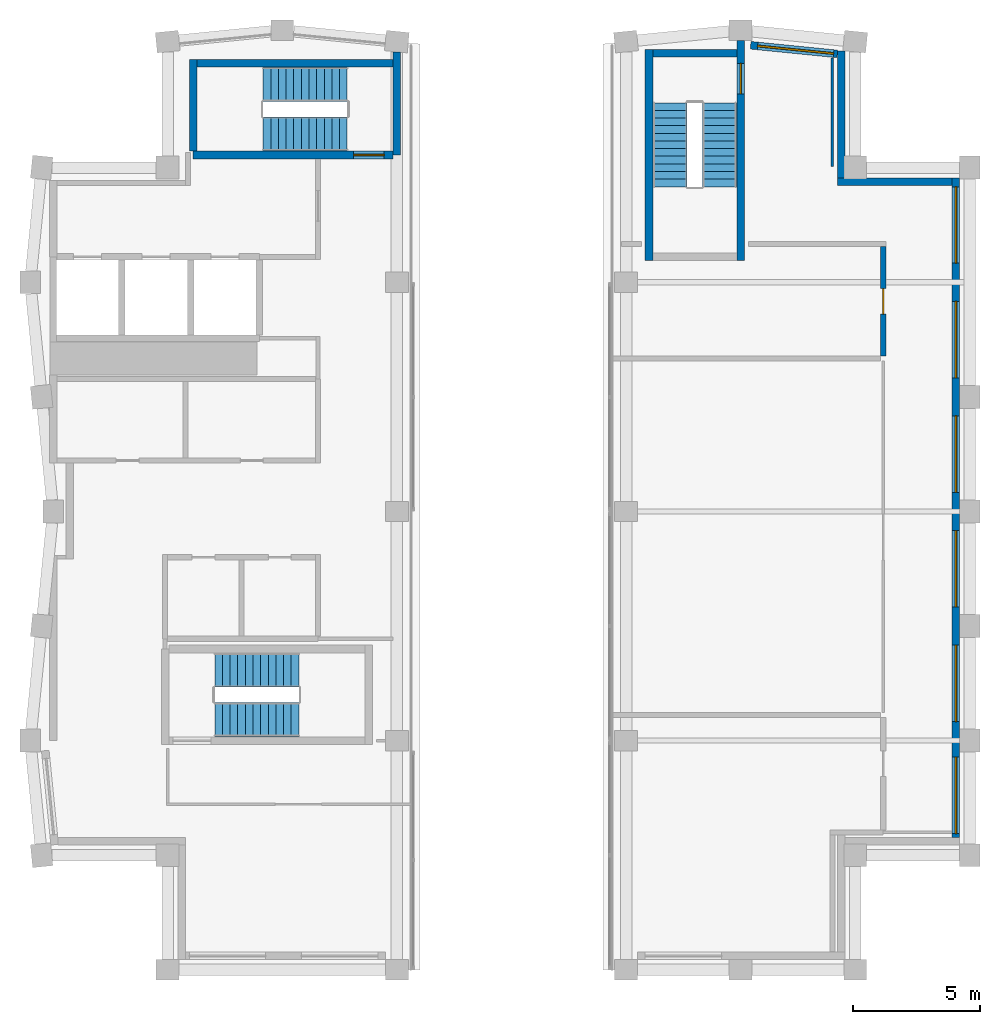
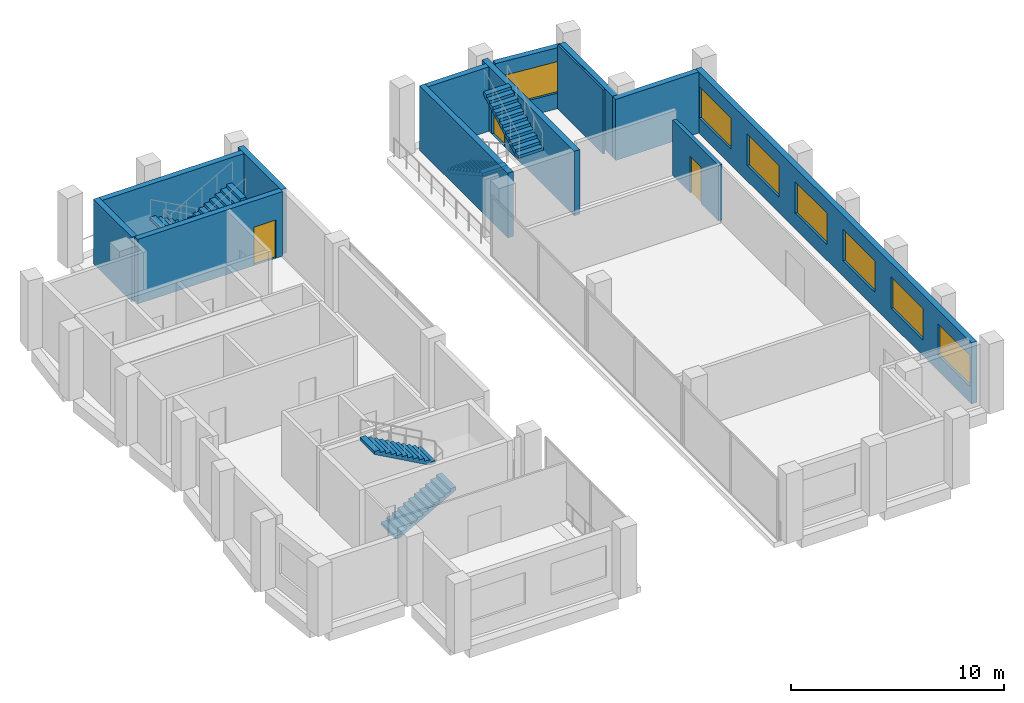
# One storey, part 8 of 9: 13 walls, 7 windows, 6 stair flights, 3 doors, 10 openings, 3 elements without a shape of their own.
"""IFC4 building model written with IfcOpenShell, lengths in metres."""

import ifcopenshell
import ifcopenshell.guid

model = None  # the IFC model being written
_history = None  # IfcOwnerHistory: only IFC2X3 demands one
_inside = {}  # id of a spatial element -> (the spatial element, [elements in it])
_under = {}  # id of a project, library or spatial element -> (it, [spatial elements below it])
_declared = {}  # id of a project -> (the project, [libraries it declares])
_typed = {}  # id of a type object -> (the type object, [elements of that type])
_made_of = {}  # id of a material, layer set ... -> (it, [elements and type objects made of it])


def new_model(schema):
    """Start an empty IFC model of exactly this schema.

    Asked for "IFC4X3", IfcOpenShell would pick the latest addendum, in which some entities
    have other attributes; the version numbers below select the first issue.
    IFC2X3 requires an IfcOwnerHistory on every rooted entity: one is made here for all.
    """
    global model, _history
    if schema == "IFC4X3":
        model = ifcopenshell.file(schema_version=(4, 3, 0, 0))
    else:
        model = ifcopenshell.file(schema=schema)
    _inside.clear()
    _under.clear()
    _declared.clear()
    _typed.clear()
    _made_of.clear()
    _history = None
    if model.schema == "IFC2X3":
        org = make("IfcOrganization", Name="unknown")
        user = make(
            "IfcPersonAndOrganization",
            ThePerson=make("IfcPerson", FamilyName="unknown"),
            TheOrganization=org,
        )
        app = make(
            "IfcApplication",
            ApplicationDeveloper=org,
            Version="unknown",
            ApplicationFullName="unknown",
            ApplicationIdentifier="unknown",
        )
        _history = make(
            "IfcOwnerHistory",
            OwningUser=user,
            OwningApplication=app,
            ChangeAction="ADDED",
            CreationDate=0,
        )
    return model


def make(cls, **values):
    """One entity of the class cls with the attributes given. An attribute that is None is left unset."""
    return model.create_entity(
        cls, **{name: value for name, value in values.items() if value is not None}
    )


def rooted(cls, **values):
    """An entity with a GlobalId (a new one), such as an element, a storey or a relation."""
    return make(cls, GlobalId=ifcopenshell.guid.new(), OwnerHistory=_history, **values)


def si_unit(unit_type, name, prefix=None):
    """IfcSIUnit, for example si_unit("LENGTHUNIT", "METRE", prefix="MILLI")."""
    return make("IfcSIUnit", UnitType=unit_type, Prefix=prefix, Name=name)


def assignment(units):
    """IfcUnitAssignment: the units of a project."""
    return None if units is None else make("IfcUnitAssignment", Units=units)


def point(xyz):
    """IfcCartesianPoint."""
    return None if xyz is None else make("IfcCartesianPoint", Coordinates=xyz)


def direction(xyz):
    """IfcDirection."""
    return None if xyz is None else make("IfcDirection", DirectionRatios=xyz)


def frame(location, z_axis=None, x_axis=None):
    """IfcAxis2Placement3D, a coordinate frame: its origin and axes. An axis left out is left unset."""
    return make(
        "IfcAxis2Placement3D",
        Location=point(location),
        Axis=direction(z_axis),
        RefDirection=direction(x_axis),
    )


def frame_2d(location, x_axis=None):
    """IfcAxis2Placement2D, a coordinate frame in the plane: its origin and x axis."""
    return make(
        "IfcAxis2Placement2D", Location=point(location), RefDirection=direction(x_axis)
    )


def origin():
    """The frame at (0, 0, 0) with its axes left unset."""
    return frame((0.0, 0.0, 0.0))


def place(relative_to, where):
    """IfcLocalPlacement: puts the frame where relative to a parent placement (None: the world)."""
    return make(
        "IfcLocalPlacement", PlacementRelTo=relative_to, RelativePlacement=where
    )


def context(
    kind, dimensions, precision=None, world=None, true_north=None, identifier=None
):
    """IfcGeometricRepresentationContext, for example the 3D "Model" context."""
    return make(
        "IfcGeometricRepresentationContext",
        ContextIdentifier=identifier,
        ContextType=kind,
        CoordinateSpaceDimension=dimensions,
        Precision=precision,
        WorldCoordinateSystem=world,
        TrueNorth=true_north,
    )


def subcontext(parent, identifier, kind, view, scale=None):
    """IfcGeometricRepresentationSubContext, for example "Body" below "Model"."""
    return make(
        "IfcGeometricRepresentationSubContext",
        ContextIdentifier=identifier,
        ContextType=kind,
        ParentContext=parent,
        TargetScale=scale,
        TargetView=view,
    )


def project(units=None, contexts=None):
    """IfcProject with its units and contexts."""
    return rooted(
        "IfcProject",
        Name="project",
        RepresentationContexts=contexts,
        UnitsInContext=assignment(units),
    )


def spatial(cls, under=None, at=None, **own):
    """A site, building, storey or space (cls), placed at a placement, below another one or the project."""
    s = rooted(cls, ObjectPlacement=at, **own)
    if under is not None:
        _under.setdefault(under.id(), (under, []))[1].append(s)
    return s


def polyline(points):
    """IfcPolyline through the points."""
    return make("IfcPolyline", Points=[point(p) for p in points])


def profile(cls, at=None, kind="AREA", **sizes):
    """A parametric profile (cls). Its sizes go by their IFC names, for example OverallWidth=200.0."""
    return make(cls, ProfileType=kind, Position=at, **sizes)


def rectangle(**sizes):
    """IfcRectangleProfileDef."""
    return profile("IfcRectangleProfileDef", **sizes)


def outline(outer, holes=None, kind="AREA"):
    """IfcArbitraryClosedProfileDef: a profile drawn as a closed curve; with holes, ...WithVoids."""
    if holes is None:
        return make("IfcArbitraryClosedProfileDef", ProfileType=kind, OuterCurve=outer)
    return make(
        "IfcArbitraryProfileDefWithVoids",
        ProfileType=kind,
        OuterCurve=outer,
        InnerCurves=holes,
    )


def extrude(swept, where, along, depth):
    """IfcExtrudedAreaSolid: the profile swept, set in the frame where, extruded along a direction by depth."""
    return make(
        "IfcExtrudedAreaSolid",
        SweptArea=swept,
        Position=where,
        ExtrudedDirection=direction(along),
        Depth=depth,
    )


def shape(context_of_items, identifier, shape_type, items):
    """IfcShapeRepresentation: the items that make up one representation, for example the "Body"."""
    return make(
        "IfcShapeRepresentation",
        ContextOfItems=context_of_items,
        RepresentationIdentifier=identifier,
        RepresentationType=shape_type,
        Items=items,
    )


def material(Name=None, Category=None):
    """IfcMaterial."""
    return make("IfcMaterial", Name=Name, Category=Category)


def layer(
    of_material, thickness, ventilated=None, Name=None, Category=None, Priority=None
):
    """IfcMaterialLayer: one layer of a wall or slab, of a material (None: an air gap)."""
    return make(
        "IfcMaterialLayer",
        Material=of_material,
        LayerThickness=thickness,
        IsVentilated=ventilated,
        Name=Name,
        Category=Category,
        Priority=Priority,
    )


def layer_set(layers, Name=None):
    """IfcMaterialLayerSet."""
    return make("IfcMaterialLayerSet", MaterialLayers=layers, LayerSetName=Name)


def made_of(thing, what):
    """Note that an element or type object is made of a material, layer set ...; save() writes the relation."""
    if what is not None:
        _made_of.setdefault(what.id(), (what, []))[1].append(thing)
    return thing


def type_object(cls, material=None, **own):
    """A type object (cls), such as IfcWallType, which elements share."""
    return made_of(rooted(cls, **own), material)


def element(
    cls,
    number,
    at=None,
    inside=None,
    cuts=None,
    type_object=None,
    material=None,
    context=None,
    identifier="Body",
    shape_type=None,
    held_by="IfcProductDefinitionShape",
    body=None,
    shapes=None,
    **own,
):
    """One element of the class cls, such as IfcWall. Its Tag is "e" and its number.

    at: its placement. inside: the storey or other place that contains it. cuts: it is an
    opening in that element (IfcRelVoidsElement). A single representation is given by context,
    identifier, shape_type and body (its items); several are given by shapes. held_by: the class
    of the entity that holds the representations. save() writes the other relations.
    """
    e = rooted(cls, Tag="e%d" % number, ObjectPlacement=at, **own)
    if body is not None:
        shapes = [shape(context, identifier, shape_type, body)]
    if shapes is not None:
        e.Representation = make(held_by, Representations=shapes)
    if inside is not None:
        _inside.setdefault(inside.id(), (inside, []))[1].append(e)
    if cuts is not None:
        rooted(
            "IfcRelVoidsElement", RelatingBuildingElement=cuts, RelatedOpeningElement=e
        )
    if type_object is not None:
        _typed.setdefault(type_object.id(), (type_object, []))[1].append(e)
    return made_of(e, material)


def fill(opening, filler):
    """IfcRelFillsElement: the door or window that sits in an opening."""
    return rooted(
        "IfcRelFillsElement",
        RelatingOpeningElement=opening,
        RelatedBuildingElement=filler,
    )


def aggregate(whole, parts):
    """IfcRelAggregates: a whole, such as a stair, and the parts it consists of."""
    return rooted("IfcRelAggregates", RelatingObject=whole, RelatedObjects=parts)


def save(model, path):
    """Write the relations noted so far, then the file.

    IfcRelAggregates (storeys below a building ...), IfcRelContainedInSpatialStructure (elements
    in a storey), IfcRelDefinesByType, IfcRelAssociatesMaterial and IfcRelDeclares: one each for
    every whole, place, type object, material and project.
    """
    for whole, parts in _under.values():
        aggregate(whole, parts)
    for where, things in _inside.values():
        rooted(
            "IfcRelContainedInSpatialStructure",
            RelatedElements=things,
            RelatingStructure=where,
        )
    for kind, things in _typed.values():
        rooted("IfcRelDefinesByType", RelatedObjects=things, RelatingType=kind)
    for what, things in _made_of.values():
        rooted("IfcRelAssociatesMaterial", RelatedObjects=things, RelatingMaterial=what)
    for by, libraries in _declared.values():
        rooted("IfcRelDeclares", RelatingContext=by, RelatedDefinitions=libraries)
    model.write(path)


model = new_model("IFC4")

# Units and contexts
model_context = context("Model", 3, precision=1e-05, world=origin(), true_north=direction((0.0, 1.0)))
body_context = subcontext(model_context, "Body", "Model", "MODEL_VIEW")
ifc_project = project(units=[si_unit("LENGTHUNIT", "METRE"), si_unit("AREAUNIT", "SQUARE_METRE"), si_unit("VOLUMEUNIT", "CUBIC_METRE"), si_unit("PLANEANGLEUNIT", "RADIAN"), si_unit("MASSUNIT", "GRAM", prefix="KILO")], contexts=[model_context])

# Site, building, storey
site_placement = place(None, origin())
site = spatial("IfcSite", under=ifc_project, at=site_placement, CompositionType="ELEMENT")
building_placement = place(site_placement, origin())
building = spatial("IfcBuilding", under=site, at=building_placement, Name="Brondeck Convention Tower", CompositionType="ELEMENT")
storey_placement = place(building_placement, frame((0.0, 0.0, 286.800048828125)))
storey = spatial("IfcBuildingStorey", under=building, at=storey_placement, Name="L71", CompositionType="ELEMENT", Elevation=286.800048828125)

# Wall, openings, windows
ifc_material_1 = material(Name="Precast concrete C50/60 bronze finish", Category="concrete")
ifc_layer_1 = layer(ifc_material_1, 0.070068359375, Name="Bronze precast facing")
ifc_material_2 = material(Name="Mineral wool")
ifc_layer_2 = layer(ifc_material_2, 0.159912109375, Name="Insulation")
ifc_material_3 = material(Name="Concrete C35/45", Category="concrete")
ifc_layer_3 = layer(ifc_material_3, 0.070068359375, Name="Backing")
ifc_layer_set_1 = layer_set([ifc_layer_1, ifc_layer_2, ifc_layer_3], Name="External infill wall, precast concrete C50/60 bronze facing")
wall_type_1 = type_object("IfcWallType", Name="External infill wall, precast concrete C50/60 bronze facing", PredefinedType="SOLIDWALL", material=ifc_layer_set_1)
wall_1_placement = place(storey_placement, frame((35.449951171875, 58.10009765625, 0.0), z_axis=(0.0, 0.0, 1.0), x_axis=(0.0, -1.0, 0.0)))
wall_1 = element("IfcWall", 1, at=wall_1_placement, inside=storey, type_object=wall_type_1, Name="ENV-EW-L71-K2-K-E-01", PredefinedType="SOLIDWALL", context=body_context, shape_type="SweptSolid", body=[
    extrude(rectangle(XDim=25.902099609375, YDim=0.300048828125, at=frame_2d((12.951171875, 0.0))), origin(), (0.0, 0.0, 1.0), 3.5),
])
opening_1_placement = place(wall_1_placement, frame((0.35009765625, 0.0, 0.89990234375)))
opening_1 = element("IfcOpeningElement", 2, at=opening_1_placement, cuts=wall_1, Name="Opening W8", PredefinedType="OPENING", context=body_context, shape_type="SweptSolid", body=[
    extrude(rectangle(XDim=3.0, YDim=1.800048828125, at=frame_2d((1.5, 0.89990234375))), frame((0.0, 0.159912109375, 0.0), z_axis=(0.0, -1.0, 0.0), x_axis=(1.0, 0.0, 0.0)), (0.0, 0.0, 1.0), 0.320068359375),
])
opening_2_placement = place(wall_1_placement, frame((4.85009765625, 0.0, 0.89990234375)))
opening_2 = element("IfcOpeningElement", 3, at=opening_2_placement, cuts=wall_1, Name="Opening W8", PredefinedType="OPENING", context=body_context, shape_type="SweptSolid", body=[
    extrude(rectangle(XDim=3.0, YDim=1.800048828125, at=frame_2d((1.5, 0.89990234375))), frame((0.0, 0.159912109375, 0.0), z_axis=(0.0, -1.0, 0.0), x_axis=(1.0, 0.0, 0.0)), (0.0, 0.0, 1.0), 0.320068359375),
])
opening_3_placement = place(wall_1_placement, frame((9.35009765625, 0.0, 0.89990234375)))
opening_3 = element("IfcOpeningElement", 4, at=opening_3_placement, cuts=wall_1, Name="Opening W8", PredefinedType="OPENING", context=body_context, shape_type="SweptSolid", body=[
    extrude(rectangle(XDim=3.0, YDim=1.800048828125, at=frame_2d((1.5, 0.89990234375))), frame((0.0, 0.159912109375, 0.0), z_axis=(0.0, -1.0, 0.0), x_axis=(1.0, 0.0, 0.0)), (0.0, 0.0, 1.0), 0.320068359375),
])
opening_4_placement = place(wall_1_placement, frame((13.85009765625, 0.0, 0.89990234375)))
opening_4 = element("IfcOpeningElement", 5, at=opening_4_placement, cuts=wall_1, Name="Opening W8", PredefinedType="OPENING", context=body_context, shape_type="SweptSolid", body=[
    extrude(rectangle(XDim=3.0, YDim=1.800048828125, at=frame_2d((1.5, 0.89990234375))), frame((0.0, 0.159912109375, 0.0), z_axis=(0.0, -1.0, 0.0), x_axis=(1.0, 0.0, 0.0)), (0.0, 0.0, 1.0), 0.320068359375),
])
opening_5_placement = place(wall_1_placement, frame((18.35009765625, 0.0, 0.89990234375)))
opening_5 = element("IfcOpeningElement", 6, at=opening_5_placement, cuts=wall_1, Name="Opening W8", PredefinedType="OPENING", context=body_context, shape_type="SweptSolid", body=[
    extrude(rectangle(XDim=3.0, YDim=1.800048828125, at=frame_2d((1.5, 0.89990234375))), frame((0.0, 0.159912109375, 0.0), z_axis=(0.0, -1.0, 0.0), x_axis=(1.0, 0.0, 0.0)), (0.0, 0.0, 1.0), 0.320068359375),
])
opening_6_placement = place(wall_1_placement, frame((22.751953125, 0.0, 0.89990234375)))
opening_6 = element("IfcOpeningElement", 7, at=opening_6_placement, cuts=wall_1, Name="Opening W8", PredefinedType="OPENING", context=body_context, shape_type="SweptSolid", body=[
    extrude(rectangle(XDim=3.0, YDim=1.800048828125, at=frame_2d((1.5, 0.89990234375))), frame((0.0, 0.159912109375, 0.0), z_axis=(0.0, -1.0, 0.0), x_axis=(1.0, 0.0, 0.0)), (0.0, 0.0, 1.0), 0.320068359375),
])
ifc_material_4 = material(Name="Bronze tinted double glazing", Category="glass")
window_type = type_object("IfcWindowType", Name="Crown plant storey window, bronze tinted", PartitioningType="SINGLE_PANEL", PredefinedType="WINDOW", material=ifc_material_4)
window_1_placement = place(opening_1_placement, origin())
window_1 = element("IfcWindow", 8, at=window_1_placement, inside=storey, type_object=window_type, Name="ENV-WN-L71-K2-K-E-06", OverallHeight=1.800048828125, OverallWidth=3.0, PartitioningType="SINGLE_PANEL", PredefinedType="WINDOW", context=body_context, shape_type="SweptSolid", body=[
    extrude(rectangle(XDim=3.0, YDim=1.800048828125, at=frame_2d((1.5, 0.89990234375))), frame((0.0, 0.030029296875, 0.0), z_axis=(0.0, -1.0, 0.0), x_axis=(1.0, 0.0, 0.0)), (0.0, 0.0, 1.0), 0.06005859375),
])
fill(opening_1, window_1)
window_2_placement = place(opening_2_placement, origin())
window_2 = element("IfcWindow", 9, at=window_2_placement, inside=storey, type_object=window_type, Name="ENV-WN-L71-K2-K-E-05", OverallHeight=1.800048828125, OverallWidth=3.0, PartitioningType="SINGLE_PANEL", PredefinedType="WINDOW", context=body_context, shape_type="SweptSolid", body=[
    extrude(rectangle(XDim=3.0, YDim=1.800048828125, at=frame_2d((1.5, 0.89990234375))), frame((0.0, 0.030029296875, 0.0), z_axis=(0.0, -1.0, 0.0), x_axis=(1.0, 0.0, 0.0)), (0.0, 0.0, 1.0), 0.06005859375),
])
fill(opening_2, window_2)
window_3_placement = place(opening_3_placement, origin())
window_3 = element("IfcWindow", 10, at=window_3_placement, inside=storey, type_object=window_type, Name="ENV-WN-L71-K2-K-E-04", OverallHeight=1.800048828125, OverallWidth=3.0, PartitioningType="SINGLE_PANEL", PredefinedType="WINDOW", context=body_context, shape_type="SweptSolid", body=[
    extrude(rectangle(XDim=3.0, YDim=1.800048828125, at=frame_2d((1.5, 0.89990234375))), frame((0.0, 0.030029296875, 0.0), z_axis=(0.0, -1.0, 0.0), x_axis=(1.0, 0.0, 0.0)), (0.0, 0.0, 1.0), 0.06005859375),
])
fill(opening_3, window_3)
window_4_placement = place(opening_4_placement, origin())
window_4 = element("IfcWindow", 11, at=window_4_placement, inside=storey, type_object=window_type, Name="ENV-WN-L71-K2-K-E-03", OverallHeight=1.800048828125, OverallWidth=3.0, PartitioningType="SINGLE_PANEL", PredefinedType="WINDOW", context=body_context, shape_type="SweptSolid", body=[
    extrude(rectangle(XDim=3.0, YDim=1.800048828125, at=frame_2d((1.5, 0.89990234375))), frame((0.0, 0.030029296875, 0.0), z_axis=(0.0, -1.0, 0.0), x_axis=(1.0, 0.0, 0.0)), (0.0, 0.0, 1.0), 0.06005859375),
])
fill(opening_4, window_4)
window_5_placement = place(opening_5_placement, origin())
window_5 = element("IfcWindow", 12, at=window_5_placement, inside=storey, type_object=window_type, Name="ENV-WN-L71-K2-K-E-02", OverallHeight=1.800048828125, OverallWidth=3.0, PartitioningType="SINGLE_PANEL", PredefinedType="WINDOW", context=body_context, shape_type="SweptSolid", body=[
    extrude(rectangle(XDim=3.0, YDim=1.800048828125, at=frame_2d((1.5, 0.89990234375))), frame((0.0, 0.030029296875, 0.0), z_axis=(0.0, -1.0, 0.0), x_axis=(1.0, 0.0, 0.0)), (0.0, 0.0, 1.0), 0.06005859375),
])
fill(opening_5, window_5)
window_6_placement = place(opening_6_placement, origin())
window_6 = element("IfcWindow", 13, at=window_6_placement, inside=storey, type_object=window_type, Name="ENV-WN-L71-K2-K-E-01", OverallHeight=1.800048828125, OverallWidth=3.0, PartitioningType="SINGLE_PANEL", PredefinedType="WINDOW", context=body_context, shape_type="SweptSolid", body=[
    extrude(rectangle(XDim=3.0, YDim=1.800048828125, at=frame_2d((1.5, 0.89990234375))), frame((0.0, 0.030029296875, 0.0), z_axis=(0.0, -1.0, 0.0), x_axis=(1.0, 0.0, 0.0)), (0.0, 0.0, 1.0), 0.06005859375),
])
fill(opening_6, window_6)

# Walls
wall_2_placement = place(storey_placement, frame((30.800048828125, 57.949951171875, 0.0), z_axis=(0.0, 0.0, 1.0), x_axis=(1.0, 0.0, 0.0)))
element("IfcWall", 14, at=wall_2_placement, inside=storey, type_object=wall_type_1, Name="ENV-EW-L71-K2-NC-KNE-01", PredefinedType="SOLIDWALL", context=body_context, shape_type="SweptSolid", body=[
    extrude(rectangle(XDim=4.501953125, YDim=0.300048828125, at=frame_2d((2.2509765625, 0.0))), origin(), (0.0, 0.0, 1.0), 3.5),
])
wall_3_placement = place(storey_placement, frame((30.949951171875, 63.087890625, 0.0), z_axis=(0.0, 0.0, 1.0), x_axis=(0.0, -1.0, 0.0)))
element("IfcWall", 15, at=wall_3_placement, inside=storey, type_object=wall_type_1, Name="ENV-EW-L71-K2-NC-KNE-02", PredefinedType="SOLIDWALL", context=body_context, shape_type="SweptSolid", body=[
    extrude(rectangle(XDim=4.989990234375, YDim=0.300048828125, at=frame_2d((2.4951171875, 0.0))), origin(), (0.0, 0.0, 1.0), 3.5),
])

# Wall, opening, window
wall_4_placement = place(storey_placement, frame((27.39306640625, 63.30810546875, 0.0), z_axis=(0.0, 0.0, 1.0), x_axis=(0.995030125493, -0.099574340874, 0.0)))
wall_4 = element("IfcWall", 16, at=wall_4_placement, inside=storey, type_object=wall_type_1, Name="ENV-EW-L71-K2-A-N-06", PredefinedType="SOLIDWALL", context=body_context, shape_type="SweptSolid", body=[
    extrude(rectangle(XDim=3.4228515625, YDim=0.300048828125, at=frame_2d((1.71142578125, 0.0))), origin(), (0.0, 0.0, 1.0), 3.5),
])
opening_7_placement = place(wall_4_placement, frame((0.272705078125, 0.0, 0.89990234375)))
opening_7 = element("IfcOpeningElement", 17, at=opening_7_placement, cuts=wall_4, Name="Opening W8", PredefinedType="OPENING", context=body_context, shape_type="SweptSolid", body=[
    extrude(rectangle(XDim=3.0, YDim=1.800048828125, at=frame_2d((1.5, 0.89990234375))), frame((0.0, 0.159912109375, 0.0), z_axis=(0.0, -1.0, 0.0), x_axis=(1.0, 0.0, 0.0)), (0.0, 0.0, 1.0), 0.320068359375),
])
window_7_placement = place(opening_7_placement, origin())
window_7 = element("IfcWindow", 18, at=window_7_placement, inside=storey, type_object=window_type, Name="ENV-WN-L71-K2-A-N-06", OverallHeight=1.800048828125, OverallWidth=3.0, PartitioningType="SINGLE_PANEL", PredefinedType="WINDOW", context=body_context, shape_type="SweptSolid", body=[
    extrude(rectangle(XDim=3.0, YDim=1.800048828125, at=frame_2d((1.5, 0.89990234375))), frame((0.0, 0.030029296875, 0.0), z_axis=(0.0, -1.0, 0.0), x_axis=(1.0, 0.0, 0.0)), (0.0, 0.0, 1.0), 0.06005859375),
])
fill(opening_7, window_7)

# Wall, opening, door
ifc_material_5 = material(Name="Concrete block wall C16/20", Category="concrete")
ifc_layer_4 = layer(ifc_material_5, 0.199951171875)
ifc_layer_set_2 = layer_set([ifc_layer_4], Name="Plant room wall 200")
wall_type_2 = type_object("IfcWallType", Name="Plant room wall 200", PredefinedType="PARTITIONING", material=ifc_layer_set_2)
wall_5_placement = place(storey_placement, frame((32.60009765625, 51.10009765625, 0.0), z_axis=(0.0, 0.0, 1.0), x_axis=(0.0, 1.0, 0.0)))
wall_5 = element("IfcWall", 19, at=wall_5_placement, inside=storey, type_object=wall_type_2, Name="FLR-L71-W011", PredefinedType="PARTITIONING", context=body_context, shape_type="SweptSolid", body=[
    extrude(rectangle(XDim=4.2998046875, YDim=0.199951171875, at=frame_2d((2.14990234375, 0.0))), origin(), (0.0, 0.0, 1.0), 3.179931640625),
])
opening_8_placement = place(wall_5_placement, frame((1.64990234375, 0.0, 0.0)))
opening_8 = element("IfcOpeningElement", 20, at=opening_8_placement, cuts=wall_5, Name="Opening CR-A2-004", PredefinedType="OPENING", context=body_context, shape_type="SweptSolid", body=[
    extrude(rectangle(XDim=1.0, YDim=2.10009765625, at=frame_2d((0.5, 1.050048828125))), frame((0.0, 0.10986328125, 0.0), z_axis=(0.0, -1.0, 0.0), x_axis=(1.0, 0.0, 0.0)), (0.0, 0.0, 1.0), 0.219970703125),
])
ifc_material_6 = material(Name="Steel fire door leaf", Category="steel")
door_type_1 = type_object("IfcDoorType", Name="Plant room door 1000", OperationType="NOTDEFINED", PredefinedType="DOOR", material=ifc_material_6)
door_1_placement = place(opening_8_placement, origin())
door_1 = element("IfcDoor", 21, at=door_1_placement, inside=storey, type_object=door_type_1, Name="Door CR-A2-004", OperationType="SINGLE_SWING_RIGHT", OverallHeight=2.10009765625, OverallWidth=1.0, PredefinedType="DOOR", context=body_context, shape_type="SweptSolid", body=[
    extrude(rectangle(XDim=1.0, YDim=2.10009765625, at=frame_2d((0.5, 1.050048828125))), frame((0.0, 0.02490234375, 0.0), z_axis=(0.0, -1.0, 0.0), x_axis=(1.0, 0.0, 0.0)), (0.0, 0.0, 1.0), 0.050048828125),
])
fill(opening_8, door_1)

# Wall
ifc_material_7 = material(Name="Gypsum board partition on steel studs", Category="steel")
ifc_layer_5 = layer(ifc_material_7, 0.10009765625)
ifc_layer_set_3 = layer_set([ifc_layer_5], Name="Room partition 100")
wall_type_3 = type_object("IfcWallType", Name="Room partition 100", PredefinedType="PARTITIONING", material=ifc_layer_set_3)
wall_6_placement = place(storey_placement, frame((30.60009765625, 62.81640625, 0.0), z_axis=(0.0, 0.0, 1.0), x_axis=(0.0, -1.0, 0.0)))
element("IfcWall", 22, at=wall_6_placement, inside=storey, type_object=wall_type_3, Name="FLR-L71-W014", PredefinedType="PARTITIONING", context=body_context, shape_type="SweptSolid", body=[
    extrude(rectangle(XDim=4.266357421875, YDim=0.10009765625, at=frame_2d((2.13330078125, 0.0))), origin(), (0.0, 0.0, 1.0), 3.679931640625),
])

# Wall, opening, door
ifc_material_8 = material(Name="Concrete C50/60", Category="concrete")
ifc_layer_6 = layer(ifc_material_8, 0.300048828125)
ifc_layer_set_4 = layer_set([ifc_layer_6], Name="Stair enclosure wall 300 Concrete C50/60")
wall_type_4 = type_object("IfcWallType", Name="Stair enclosure wall 300 Concrete C50/60", PredefinedType="SHEAR", material=ifc_layer_set_4)
wall_7_placement = place(storey_placement, frame((5.5, 59.0, 0.0), z_axis=(0.0, 0.0, 1.0), x_axis=(1.0, 0.0, 0.0)))
wall_7 = element("IfcWall", 23, at=wall_7_placement, inside=storey, type_object=wall_type_4, Name="L71 core wall", PredefinedType="SHEAR", context=body_context, shape_type="SweptSolid", body=[
    extrude(rectangle(XDim=7.85009765625, YDim=0.300048828125, at=frame_2d((3.925048828125, 0.0))), origin(), (0.0, 0.0, 1.0), 3.699951171875),
])
opening_9_placement = place(wall_7_placement, frame((6.300048828125, 0.0, 0.0)))
opening_9 = element("IfcOpeningElement", 24, at=opening_9_placement, cuts=wall_7, Name="Opening C41-08", PredefinedType="OPENING", context=body_context, shape_type="SweptSolid", body=[
    extrude(rectangle(XDim=1.199951171875, YDim=2.199951171875, at=frame_2d((0.60009765625, 1.10009765625))), frame((0.0, 0.159912109375, 0.0), z_axis=(0.0, -1.0, 0.0), x_axis=(1.0, 0.0, 0.0)), (0.0, 0.0, 1.0), 0.320068359375),
])
ifc_material_9 = material(Name="Steel fire door", Category="steel")
door_type_2 = type_object("IfcDoorType", Name="Stair door 1200x2200 EI 120", OperationType="NOTDEFINED", PredefinedType="DOOR", material=ifc_material_9)
door_2_placement = place(opening_9_placement, origin())
door_2 = element("IfcDoor", 25, at=door_2_placement, inside=storey, type_object=door_type_2, Name="L71 Stair door ST-3", OperationType="SINGLE_SWING_RIGHT", OverallHeight=2.199951171875, OverallWidth=1.199951171875, PredefinedType="DOOR", context=body_context, shape_type="SweptSolid", body=[
    extrude(rectangle(XDim=1.199951171875, YDim=2.199951171875, at=frame_2d((0.60009765625, 1.10009765625))), frame((0.0, 0.02490234375, 0.0), z_axis=(0.0, -1.0, 0.0), x_axis=(1.0, 0.0, 0.0)), (0.0, 0.0, 1.0), 0.050048828125),
])
fill(opening_9, door_2)

# Walls
wall_8_placement = place(storey_placement, frame((5.64990234375, 62.60009765625, 0.0), z_axis=(0.0, 0.0, 1.0), x_axis=(1.0, 0.0, 0.0)))
element("IfcWall", 26, at=wall_8_placement, inside=storey, type_object=wall_type_4, Name="L71 core wall", PredefinedType="SHEAR", context=body_context, shape_type="SweptSolid", body=[
    extrude(rectangle(XDim=7.7001953125, YDim=0.300048828125, at=frame_2d((3.85009765625, 0.0))), origin(), (0.0, 0.0, 1.0), 3.699951171875),
])
wall_9_placement = place(storey_placement, frame((23.550048828125, 63.0, 0.0), z_axis=(0.0, 0.0, 1.0), x_axis=(1.0, 0.0, 0.0)))
element("IfcWall", 27, at=wall_9_placement, inside=storey, type_object=wall_type_4, Name="L71 core wall", PredefinedType="SHEAR", context=body_context, shape_type="SweptSolid", body=[
    extrude(rectangle(XDim=3.300048828125, YDim=0.300048828125, at=frame_2d((1.64990234375, 0.0))), origin(), (0.0, 0.0, 1.0), 3.699951171875),
])
wall_10_placement = place(storey_placement, frame((5.5, 59.14990234375, 0.0), z_axis=(0.0, 0.0, 1.0), x_axis=(0.0, 1.0, 0.0)))
element("IfcWall", 28, at=wall_10_placement, inside=storey, type_object=wall_type_4, Name="L71 core wall", PredefinedType="SHEAR", context=body_context, shape_type="SweptSolid", body=[
    extrude(rectangle(XDim=3.60009765625, YDim=0.300048828125, at=frame_2d((1.800048828125, 0.0))), origin(), (0.0, 0.0, 1.0), 3.699951171875),
])
wall_11_placement = place(storey_placement, frame((13.5, 59.0, 0.0), z_axis=(0.0, 0.0, 1.0), x_axis=(0.0, 1.0, 0.0)))
element("IfcWall", 29, at=wall_11_placement, inside=storey, type_object=wall_type_4, Name="L71 core wall", PredefinedType="SHEAR", context=body_context, shape_type="SweptSolid", body=[
    extrude(rectangle(XDim=4.048095703125, YDim=0.300048828125, at=frame_2d((2.02392578125, 0.0))), origin(), (0.0, 0.0, 1.0), 3.699951171875),
])
wall_12_placement = place(storey_placement, frame((23.39990234375, 54.85009765625, 0.0), z_axis=(0.0, 0.0, 1.0), x_axis=(0.0, 1.0, 0.0)))
element("IfcWall", 30, at=wall_12_placement, inside=storey, type_object=wall_type_4, Name="L71 core wall", PredefinedType="SHEAR", context=body_context, shape_type="SweptSolid", body=[
    extrude(rectangle(XDim=8.2998046875, YDim=0.300048828125, at=frame_2d((4.14990234375, 0.0))), origin(), (0.0, 0.0, 1.0), 3.699951171875),
])

# Wall, opening, door
wall_13_placement = place(storey_placement, frame((27.0, 54.85009765625, 0.0), z_axis=(0.0, 0.0, 1.0), x_axis=(0.0, 1.0, 0.0)))
wall_13 = element("IfcWall", 31, at=wall_13_placement, inside=storey, type_object=wall_type_4, Name="L71 core wall", PredefinedType="SHEAR", context=body_context, shape_type="SweptSolid", body=[
    extrude(rectangle(XDim=8.64990234375, YDim=0.300048828125, at=frame_2d((4.324951171875, 0.0))), origin(), (0.0, 0.0, 1.0), 3.699951171875),
])
opening_10_placement = place(wall_13_placement, frame((6.550048828125, 0.0, 0.0)))
opening_10 = element("IfcOpeningElement", 32, at=opening_10_placement, cuts=wall_13, Name="Opening C41-07", PredefinedType="OPENING", context=body_context, shape_type="SweptSolid", body=[
    extrude(rectangle(XDim=1.199951171875, YDim=2.199951171875, at=frame_2d((0.60009765625, 1.10009765625))), frame((0.0, 0.159912109375, 0.0), z_axis=(0.0, -1.0, 0.0), x_axis=(1.0, 0.0, 0.0)), (0.0, 0.0, 1.0), 0.320068359375),
])
door_type_3 = type_object("IfcDoorType", Name="Stair door 1200x2200 EI 90", OperationType="NOTDEFINED", PredefinedType="DOOR", material=ifc_material_9)
door_3_placement = place(opening_10_placement, origin())
door_3 = element("IfcDoor", 33, at=door_3_placement, inside=storey, type_object=door_type_3, Name="L71 Stair door ST-2", OperationType="SINGLE_SWING_LEFT", OverallHeight=2.199951171875, OverallWidth=1.199951171875, PredefinedType="DOOR", context=body_context, shape_type="SweptSolid", body=[
    extrude(rectangle(XDim=1.199951171875, YDim=2.199951171875, at=frame_2d((0.60009765625, 1.10009765625))), frame((0.0, 0.02490234375, 0.0), z_axis=(0.0, -1.0, 0.0), x_axis=(1.0, 0.0, 0.0)), (0.0, 0.0, 1.0), 0.050048828125),
])
fill(opening_10, door_3)

# Stair, stair flights
ifc_material_10 = material(Name="Precast concrete C50/60", Category="concrete")
stair_type = type_object("IfcStairType", Name="Core stair 24 risers 166.67 mm riser 300 mm going 1350 wide", PredefinedType="HALF_TURN_STAIR", material=ifc_material_10)
stair_1_placement = place(storey_placement, origin())
stair_1 = element("IfcStair", 34, at=stair_1_placement, inside=storey, type_object=stair_type, Name="ST-1 L71 stair", PredefinedType="HALF_TURN_STAIR")
stair_flight_type = type_object("IfcStairFlightType", Name="Core stair flight 24 risers 166.67 mm riser 300 mm going 1350 wide", PredefinedType="STRAIGHT", material=ifc_material_10)
stair_flight_1_placement = place(storey_placement, frame((6.35009765625, 36.824951171875, 0.0), z_axis=(0.0, 0.0, 1.0), x_axis=(1.0, 0.0, 0.0)))
stair_flight_1 = element("IfcStairFlight", 35, at=stair_flight_1_placement, type_object=stair_flight_type, Name="ST-1 flight 1", NumberOfRisers=12, NumberOfTreads=11, PredefinedType="STRAIGHT", RiserHeight=0.166666667, TreadLength=0.3, context=body_context, shape_type="SweptSolid", body=[
    extrude(outline(polyline([(0.0, 0.0), (0.0, 0.166748046875), (0.300048828125, 0.166748046875), (0.300048828125, 0.333251953125), (0.60009765625, 0.333251953125), (0.60009765625, 0.5), (0.89990234375, 0.5), (0.89990234375, 0.666748046875), (1.199951171875, 0.666748046875), (1.199951171875, 0.833251953125), (1.5, 0.833251953125), (1.5, 1.0), (1.800048828125, 1.0), (1.800048828125, 1.166748046875), (2.10009765625, 1.166748046875), (2.10009765625, 1.333251953125), (2.39990234375, 1.333251953125), (2.39990234375, 1.5), (2.699951171875, 1.5), (2.699951171875, 1.666748046875), (3.0, 1.666748046875), (3.0, 1.833251953125), (3.300048828125, 1.833251953125), (3.300048828125, 2.0), (3.300048828125, 1.661865234375), (0.30859375, 0.0), (0.0, 0.0)])), frame((0.0, 0.675048828125, 0.0), z_axis=(0.0, -1.0, 0.0), x_axis=(1.0, 0.0, 0.0)), (0.0, 0.0, 1.0), 1.35009765625),
])
stair_flight_2_placement = place(storey_placement, frame((9.64990234375, 38.77490234375, 2.0), z_axis=(0.0, 0.0, 1.0), x_axis=(-1.0, 0.0, 0.0)))
stair_flight_2 = element("IfcStairFlight", 36, at=stair_flight_2_placement, type_object=stair_flight_type, Name="ST-1 flight 2", NumberOfRisers=12, NumberOfTreads=11, PredefinedType="STRAIGHT", RiserHeight=0.166666667, TreadLength=0.3, context=body_context, shape_type="SweptSolid", body=[
    extrude(outline(polyline([(0.0, 0.0), (0.0, 0.166748046875), (0.300048828125, 0.166748046875), (0.300048828125, 0.333251953125), (0.60009765625, 0.333251953125), (0.60009765625, 0.5), (0.89990234375, 0.5), (0.89990234375, 0.666748046875), (1.199951171875, 0.666748046875), (1.199951171875, 0.833251953125), (1.5, 0.833251953125), (1.5, 1.0), (1.800048828125, 1.0), (1.800048828125, 1.166748046875), (2.10009765625, 1.166748046875), (2.10009765625, 1.333251953125), (2.39990234375, 1.333251953125), (2.39990234375, 1.5), (2.699951171875, 1.5), (2.699951171875, 1.666748046875), (3.0, 1.666748046875), (3.0, 1.833251953125), (3.300048828125, 1.833251953125), (3.300048828125, 2.0), (3.300048828125, 1.661865234375), (0.30859375, 0.0), (0.0, 0.0)])), frame((0.0, 0.675048828125, 0.0), z_axis=(0.0, -1.0, 0.0), x_axis=(1.0, 0.0, 0.0)), (0.0, 0.0, 1.0), 1.35009765625),
])
aggregate(stair_1, [stair_flight_1, stair_flight_2])

stair_2_placement = place(storey_placement, origin())
stair_2 = element("IfcStair", 37, at=stair_2_placement, inside=storey, type_object=stair_type, Name="ST-2 L71 stair", PredefinedType="HALF_TURN_STAIR")
stair_flight_3_placement = place(storey_placement, frame((24.22509765625, 61.050048828125, 0.0), z_axis=(0.0, 0.0, 1.0), x_axis=(0.0, -1.0, 0.0)))
stair_flight_3 = element("IfcStairFlight", 38, at=stair_flight_3_placement, type_object=stair_flight_type, Name="ST-2 flight 1", NumberOfRisers=12, NumberOfTreads=11, PredefinedType="STRAIGHT", RiserHeight=0.166666667, TreadLength=0.3, context=body_context, shape_type="SweptSolid", body=[
    extrude(outline(polyline([(0.0, 0.0), (0.0, 0.166748046875), (0.300048828125, 0.166748046875), (0.300048828125, 0.333251953125), (0.60009765625, 0.333251953125), (0.60009765625, 0.5), (0.89990234375, 0.5), (0.89990234375, 0.666748046875), (1.199951171875, 0.666748046875), (1.199951171875, 0.833251953125), (1.5, 0.833251953125), (1.5, 1.0), (1.800048828125, 1.0), (1.800048828125, 1.166748046875), (2.10009765625, 1.166748046875), (2.10009765625, 1.333251953125), (2.39990234375, 1.333251953125), (2.39990234375, 1.5), (2.699951171875, 1.5), (2.699951171875, 1.666748046875), (3.0, 1.666748046875), (3.0, 1.833251953125), (3.300048828125, 1.833251953125), (3.300048828125, 2.0), (3.300048828125, 1.661865234375), (0.30859375, 0.0), (0.0, 0.0)])), frame((0.0, 0.675048828125, 0.0), z_axis=(0.0, -1.0, 0.0), x_axis=(1.0, 0.0, 0.0)), (0.0, 0.0, 1.0), 1.35009765625),
])
stair_flight_4_placement = place(storey_placement, frame((26.175048828125, 57.75, 2.0), z_axis=(0.0, 0.0, 1.0), x_axis=(0.0, 1.0, 0.0)))
stair_flight_4 = element("IfcStairFlight", 39, at=stair_flight_4_placement, type_object=stair_flight_type, Name="ST-2 flight 2", NumberOfRisers=12, NumberOfTreads=11, PredefinedType="STRAIGHT", RiserHeight=0.166666667, TreadLength=0.3, context=body_context, shape_type="SweptSolid", body=[
    extrude(outline(polyline([(0.0, 0.0), (0.0, 0.166748046875), (0.300048828125, 0.166748046875), (0.300048828125, 0.333251953125), (0.60009765625, 0.333251953125), (0.60009765625, 0.5), (0.89990234375, 0.5), (0.89990234375, 0.666748046875), (1.199951171875, 0.666748046875), (1.199951171875, 0.833251953125), (1.5, 0.833251953125), (1.5, 1.0), (1.800048828125, 1.0), (1.800048828125, 1.166748046875), (2.10009765625, 1.166748046875), (2.10009765625, 1.333251953125), (2.39990234375, 1.333251953125), (2.39990234375, 1.5), (2.699951171875, 1.5), (2.699951171875, 1.666748046875), (3.0, 1.666748046875), (3.0, 1.833251953125), (3.300048828125, 1.833251953125), (3.300048828125, 2.0), (3.300048828125, 1.661865234375), (0.30859375, 0.0), (0.0, 0.0)])), frame((0.0, 0.675048828125, 0.0), z_axis=(0.0, -1.0, 0.0), x_axis=(1.0, 0.0, 0.0)), (0.0, 0.0, 1.0), 1.35009765625),
])
aggregate(stair_2, [stair_flight_3, stair_flight_4])

stair_3_placement = place(storey_placement, origin())
stair_3 = element("IfcStair", 40, at=stair_3_placement, inside=storey, type_object=stair_type, Name="ST-3 L71 stair", PredefinedType="HALF_TURN_STAIR")
stair_flight_5_placement = place(storey_placement, frame((11.550048828125, 61.77490234375, 0.0), z_axis=(0.0, 0.0, 1.0), x_axis=(-1.0, 0.0, 0.0)))
stair_flight_5 = element("IfcStairFlight", 41, at=stair_flight_5_placement, type_object=stair_flight_type, Name="ST-3 flight 1", NumberOfRisers=12, NumberOfTreads=11, PredefinedType="STRAIGHT", RiserHeight=0.166666667, TreadLength=0.3, context=body_context, shape_type="SweptSolid", body=[
    extrude(outline(polyline([(0.0, 0.0), (0.0, 0.166748046875), (0.300048828125, 0.166748046875), (0.300048828125, 0.333251953125), (0.60009765625, 0.333251953125), (0.60009765625, 0.5), (0.89990234375, 0.5), (0.89990234375, 0.666748046875), (1.199951171875, 0.666748046875), (1.199951171875, 0.833251953125), (1.5, 0.833251953125), (1.5, 1.0), (1.800048828125, 1.0), (1.800048828125, 1.166748046875), (2.10009765625, 1.166748046875), (2.10009765625, 1.333251953125), (2.39990234375, 1.333251953125), (2.39990234375, 1.5), (2.699951171875, 1.5), (2.699951171875, 1.666748046875), (3.0, 1.666748046875), (3.0, 1.833251953125), (3.300048828125, 1.833251953125), (3.300048828125, 2.0), (3.300048828125, 1.661865234375), (0.30859375, 0.0), (0.0, 0.0)])), frame((0.0, 0.675048828125, 0.0), z_axis=(0.0, -1.0, 0.0), x_axis=(1.0, 0.0, 0.0)), (0.0, 0.0, 1.0), 1.35009765625),
])
stair_flight_6_placement = place(storey_placement, frame((8.25, 59.824951171875, 2.0), z_axis=(0.0, 0.0, 1.0), x_axis=(1.0, 0.0, 0.0)))
stair_flight_6 = element("IfcStairFlight", 42, at=stair_flight_6_placement, type_object=stair_flight_type, Name="ST-3 flight 2", NumberOfRisers=12, NumberOfTreads=11, PredefinedType="STRAIGHT", RiserHeight=0.166666667, TreadLength=0.3, context=body_context, shape_type="SweptSolid", body=[
    extrude(outline(polyline([(0.0, 0.0), (0.0, 0.166748046875), (0.300048828125, 0.166748046875), (0.300048828125, 0.333251953125), (0.60009765625, 0.333251953125), (0.60009765625, 0.5), (0.89990234375, 0.5), (0.89990234375, 0.666748046875), (1.199951171875, 0.666748046875), (1.199951171875, 0.833251953125), (1.5, 0.833251953125), (1.5, 1.0), (1.800048828125, 1.0), (1.800048828125, 1.166748046875), (2.10009765625, 1.166748046875), (2.10009765625, 1.333251953125), (2.39990234375, 1.333251953125), (2.39990234375, 1.5), (2.699951171875, 1.5), (2.699951171875, 1.666748046875), (3.0, 1.666748046875), (3.0, 1.833251953125), (3.300048828125, 1.833251953125), (3.300048828125, 2.0), (3.300048828125, 1.661865234375), (0.30859375, 0.0), (0.0, 0.0)])), frame((0.0, 0.675048828125, 0.0), z_axis=(0.0, -1.0, 0.0), x_axis=(1.0, 0.0, 0.0)), (0.0, 0.0, 1.0), 1.35009765625),
])
aggregate(stair_3, [stair_flight_5, stair_flight_6])

save(model, "model.ifc")
